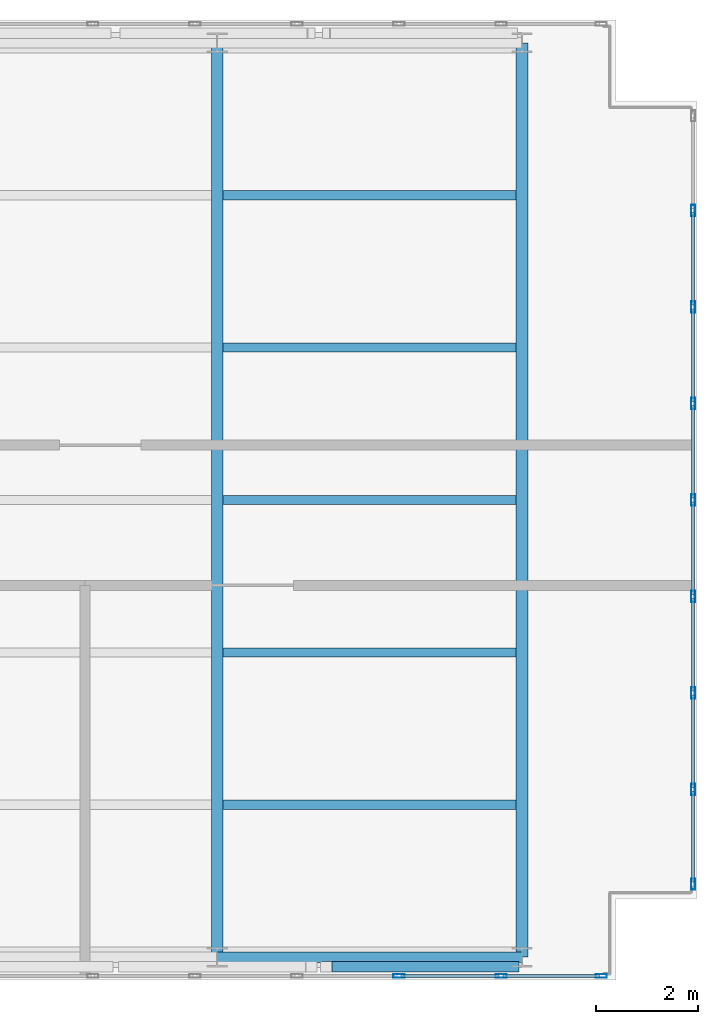
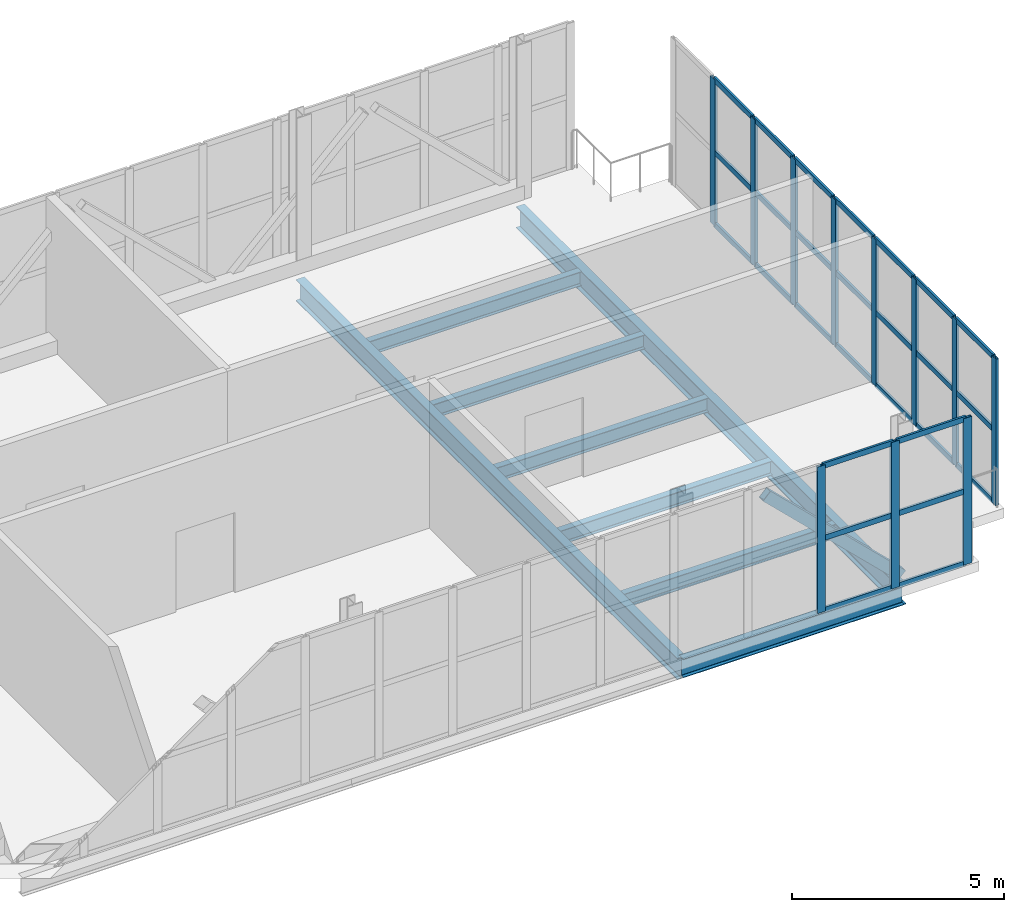
# One storey, part 14 of 21: 39 members, 8 beams, 2 elements without a shape of their own.
"""IFC4 building model written with IfcOpenShell, lengths in metres."""

from ifc_helpers import new_model, si_unit, direction, frame, origin, origin_2d, place, context, subcontext, project, spatial, hollow_rectangle, i_section, extrude, material, layer, layer_set, material_profile, profile_set, type_object, element, aggregate, save


model = new_model("IFC4")

# Units and contexts
model_context = context("Model", 3, precision=1e-05, world=origin(), true_north=direction((0.0, 1.0)))
body_context = subcontext(model_context, "Body", "Model", "MODEL_VIEW")
ifc_project = project(units=[si_unit("LENGTHUNIT", "METRE"), si_unit("AREAUNIT", "SQUARE_METRE"), si_unit("VOLUMEUNIT", "CUBIC_METRE"), si_unit("PLANEANGLEUNIT", "RADIAN"), si_unit("MASSUNIT", "GRAM", prefix="KILO")], contexts=[model_context])

# Site, building, storey
site_placement = place(None, origin())
site = spatial("IfcSite", under=ifc_project, at=site_placement, CompositionType="ELEMENT")
building_placement = place(site_placement, origin())
building = spatial("IfcBuilding", under=site, at=building_placement, Name="Mawjdan Bourse Tower", CompositionType="ELEMENT")
storey_placement = place(building_placement, frame((0.0, 0.0, 313.199951171875)))
storey = spatial("IfcBuildingStorey", under=building, at=storey_placement, Name="L77", CompositionType="ELEMENT", Elevation=313.199951171875)

# Member
ifc_material_1 = material(Name="Structural Steel S460", Category="steel")
ifc_material_profile_1 = material_profile(ifc_material_1, hollow_rectangle(XDim=0.199951171875, YDim=0.300048828125, WallThickness=0.012451171875, at=origin_2d()), Name="HSS300X200X12.5")
ifc_profile_set_1 = profile_set([ifc_material_profile_1], Name="Structural Steel S460")
member_type_1 = type_object("IfcMemberType", Name="BRC-HSS300X200X12.5", PredefinedType="BRACE", material=ifc_profile_set_1)
member_1_placement = place(storey_placement, frame((44.159912109375, 2.81005859375, 3.77001953125), z_axis=(0.717762646976, 0.0, -0.696287859011), x_axis=(0.0, 1.0, 0.0)))
element("IfcMember", 1, at=member_1_placement, inside=storey, type_object=member_type_1, Name="L77 Lantern Crown Braced Frame South Diagonal 6", PredefinedType="BRACE", context=body_context, shape_type="SweptSolid", body=[
    extrude(hollow_rectangle(XDim=0.199951171875, YDim=0.300048828125, WallThickness=0.012451171875, at=origin_2d()), origin(), (0.0, 0.0, 1.0), 5.127197265625),
])

# Beams
ifc_material_2 = material(Name="Structural Steel S355", Category="steel")
ifc_material_profile_2 = material_profile(ifc_material_2, i_section(OverallWidth=0.22998046875, OverallDepth=0.616943359375, WebThickness=0.01318359375, FlangeThickness=0.022216796875, FilletRadius=0.017822265625, at=origin_2d()), Name="W24X94")
ifc_profile_set_2 = profile_set([ifc_material_profile_2], Name="Structural Steel S355")
beam_type_1 = type_object("IfcBeamType", Name="GRD-W24X94", PredefinedType="BEAM", material=ifc_profile_set_2)
for number, where, z_axis, x_axis, name in (
    (2, (42.0, 3.0, -0.58837890625), (0.0, 1.0, 0.0), (-1.0, 0.0, 0.0), "L77 East Wing Clear-Span Girder 003"),
    (3, (48.0, 3.0, -0.58837890625), (0.0, 1.0, 0.0), (-1.0, 0.0, 0.0), "L77 East Wing Clear-Span Girder 004"),
):
    element("IfcBeam", number, at=place(storey_placement, frame(where, z_axis=z_axis, x_axis=x_axis)), inside=storey, type_object=beam_type_1, Name=name, PredefinedType="BEAM", context=body_context, shape_type="SweptSolid", body=[
        extrude(i_section(OverallWidth=0.22998046875, OverallDepth=0.616943359375, WebThickness=0.01318359375, FlangeThickness=0.022216796875, FilletRadius=0.017822265625, at=origin_2d()), origin(), (0.0, 0.0, 1.0), 18.0),
    ])
ifc_material_profile_3 = material_profile(ifc_material_2, i_section(OverallWidth=0.177978515625, OverallDepth=0.406982421875, WebThickness=0.0078125, FlangeThickness=0.0126953125, FilletRadius=0.01025390625, at=origin_2d()), Name="W16X40")
ifc_profile_set_3 = profile_set([ifc_material_profile_3], Name="Structural Steel S355")
beam_type_2 = type_object("IfcBeamType", Name="JST-W16X40", PredefinedType="JOIST", material=ifc_profile_set_3)
for number, where, z_axis, x_axis, name in (
    (4, (42.113037109375, 6.0, -0.4833984375), (1.0, 0.0, 0.0), (0.0, 1.0, 0.0), "L77 East Wing Composite Joist 013"),
    (5, (42.113037109375, 9.0, -0.4833984375), (1.0, 0.0, 0.0), (0.0, 1.0, 0.0), "L77 East Wing Composite Joist 016"),
    (6, (42.113037109375, 12.0, -0.4833984375), (1.0, 0.0, 0.0), (0.0, 1.0, 0.0), "L77 East Wing Composite Joist 019"),
    (7, (42.113037109375, 15.0, -0.4833984375), (1.0, 0.0, 0.0), (0.0, 1.0, 0.0), "L77 East Wing Composite Joist 022"),
    (8, (42.113037109375, 18.0, -0.4833984375), (1.0, 0.0, 0.0), (0.0, 1.0, 0.0), "L77 East Wing Composite Joist 025"),
):
    element("IfcBeam", number, at=place(storey_placement, frame(where, z_axis=z_axis, x_axis=x_axis)), inside=storey, type_object=beam_type_2, Name=name, PredefinedType="JOIST", context=body_context, shape_type="SweptSolid", body=[
        extrude(i_section(OverallWidth=0.177978515625, OverallDepth=0.406982421875, WebThickness=0.0078125, FlangeThickness=0.0126953125, FilletRadius=0.01025390625, at=origin_2d()), origin(), (0.0, 0.0, 1.0), 5.77392578125),
    ])

# Curtain wall, members
ifc_material_3 = material(Name="Thermally Broken Aluminium and Solar Glass", Category="aluminium")
ifc_layer = layer(ifc_material_3, 0.219970703125)
ifc_layer_set = layer_set([ifc_layer], Name="Thermally Broken Aluminium and Solar Glass")
curtain_wall_type = type_object("IfcCurtainWallType", Name="CW-CRN", PredefinedType="USERDEFINED", material=ifc_layer_set)
curtain_wall_1_placement = place(storey_placement, origin())
curtain_wall_1 = element("IfcCurtainWall", 9, at=curtain_wall_1_placement, inside=storey, type_object=curtain_wall_type, Name="L77 Lantern Crown South Curtain Wall", ObjectType="LANTERN GLAZED CROWN", PredefinedType="USERDEFINED")
ifc_material_4 = material(Name="Thermally Broken Anodised Aluminium", Category="aluminium")
ifc_material_profile_4 = material_profile(ifc_material_4, hollow_rectangle(XDim=0.074951171875, YDim=0.219970703125, WallThickness=0.0048828125, at=origin_2d()), Name="ALU-MUL-220X75")
ifc_profile_set_4 = profile_set([ifc_material_profile_4], Name="Thermally Broken Anodised Aluminium")
member_type_2 = type_object("IfcMemberType", Name="MUL-ALU-MUL-220X75", PredefinedType="MULLION", material=ifc_profile_set_4)
member_2_placement = place(storey_placement, frame((45.5810546875, 2.6298828125, 0.0), z_axis=(0.0, 0.0, 1.0), x_axis=(0.0, 1.0, 0.0)))
member_2 = element("IfcMember", 10, at=member_2_placement, type_object=member_type_2, Name="CW-CRN-L77-CRN-S mullion 20", PredefinedType="MULLION", context=body_context, shape_type="SweptSolid", body=[
    extrude(hollow_rectangle(XDim=0.074951171875, YDim=0.219970703125, WallThickness=0.0048828125, at=origin_2d()), origin(), (0.0, 0.0, 1.0), 4.219970703125),
])
member_3_placement = place(storey_placement, frame((47.590576171875, 2.6298828125, 0.0), z_axis=(0.0, 0.0, 1.0), x_axis=(0.0, 1.0, 0.0)))
member_3 = element("IfcMember", 11, at=member_3_placement, type_object=member_type_2, Name="CW-CRN-L77-CRN-S mullion 21", PredefinedType="MULLION", context=body_context, shape_type="SweptSolid", body=[
    extrude(hollow_rectangle(XDim=0.074951171875, YDim=0.219970703125, WallThickness=0.0048828125, at=origin_2d()), origin(), (0.0, 0.0, 1.0), 4.219970703125),
])
member_4_placement = place(storey_placement, frame((49.5625, 2.6298828125, 0.0), z_axis=(0.0, 0.0, 1.0), x_axis=(0.0, 1.0, 0.0)))
member_4 = element("IfcMember", 12, at=member_4_placement, type_object=member_type_2, Name="CW-CRN-L77-CRN-S mullion 22", PredefinedType="MULLION", context=body_context, shape_type="SweptSolid", body=[
    extrude(hollow_rectangle(XDim=0.074951171875, YDim=0.219970703125, WallThickness=0.0048828125, at=origin_2d()), origin(), (0.0, 0.0, 1.0), 4.219970703125),
])

curtain_wall_2_placement = place(storey_placement, origin())
curtain_wall_2 = element("IfcCurtainWall", 13, at=curtain_wall_2_placement, inside=storey, type_object=curtain_wall_type, Name="L77 Lantern Crown East Curtain Wall", ObjectType="LANTERN GLAZED CROWN", PredefinedType="USERDEFINED")
member_5_placement = place(storey_placement, frame((51.3701171875, 4.4375, 0.0), z_axis=(0.0, 0.0, 1.0), x_axis=(-1.0, 0.0, 0.0)))
member_5 = element("IfcMember", 14, at=member_5_placement, type_object=member_type_2, Name="CW-CRN-L77-CRN-E mullion 1", PredefinedType="MULLION", context=body_context, shape_type="SweptSolid", body=[
    extrude(hollow_rectangle(XDim=0.074951171875, YDim=0.219970703125, WallThickness=0.0048828125, at=origin_2d()), origin(), (0.0, 0.0, 1.0), 4.219970703125),
])
member_6_placement = place(storey_placement, frame((51.3701171875, 6.300048828125, 0.0), z_axis=(0.0, 0.0, 1.0), x_axis=(-1.0, 0.0, 0.0)))
member_6 = element("IfcMember", 15, at=member_6_placement, type_object=member_type_2, Name="CW-CRN-L77-CRN-E mullion 2", PredefinedType="MULLION", context=body_context, shape_type="SweptSolid", body=[
    extrude(hollow_rectangle(XDim=0.074951171875, YDim=0.219970703125, WallThickness=0.0048828125, at=origin_2d()), origin(), (0.0, 0.0, 1.0), 4.219970703125),
])
member_7_placement = place(storey_placement, frame((51.3701171875, 8.199951171875, 0.0), z_axis=(0.0, 0.0, 1.0), x_axis=(-1.0, 0.0, 0.0)))
member_7 = element("IfcMember", 16, at=member_7_placement, type_object=member_type_2, Name="CW-CRN-L77-CRN-E mullion 3", PredefinedType="MULLION", context=body_context, shape_type="SweptSolid", body=[
    extrude(hollow_rectangle(XDim=0.074951171875, YDim=0.219970703125, WallThickness=0.0048828125, at=origin_2d()), origin(), (0.0, 0.0, 1.0), 4.219970703125),
])
member_8_placement = place(storey_placement, frame((51.3701171875, 10.10009765625, 0.0), z_axis=(0.0, 0.0, 1.0), x_axis=(-1.0, 0.0, 0.0)))
member_8 = element("IfcMember", 17, at=member_8_placement, type_object=member_type_2, Name="CW-CRN-L77-CRN-E mullion 4", PredefinedType="MULLION", context=body_context, shape_type="SweptSolid", body=[
    extrude(hollow_rectangle(XDim=0.074951171875, YDim=0.219970703125, WallThickness=0.0048828125, at=origin_2d()), origin(), (0.0, 0.0, 1.0), 4.219970703125),
])
member_9_placement = place(storey_placement, frame((51.3701171875, 12.0, 0.0), z_axis=(0.0, 0.0, 1.0), x_axis=(-1.0, 0.0, 0.0)))
member_9 = element("IfcMember", 18, at=member_9_placement, type_object=member_type_2, Name="CW-CRN-L77-CRN-E mullion 5", PredefinedType="MULLION", context=body_context, shape_type="SweptSolid", body=[
    extrude(hollow_rectangle(XDim=0.074951171875, YDim=0.219970703125, WallThickness=0.0048828125, at=origin_2d()), origin(), (0.0, 0.0, 1.0), 4.219970703125),
])
member_10_placement = place(storey_placement, frame((51.3701171875, 13.89990234375, 0.0), z_axis=(0.0, 0.0, 1.0), x_axis=(-1.0, 0.0, 0.0)))
member_10 = element("IfcMember", 19, at=member_10_placement, type_object=member_type_2, Name="CW-CRN-L77-CRN-E mullion 6", PredefinedType="MULLION", context=body_context, shape_type="SweptSolid", body=[
    extrude(hollow_rectangle(XDim=0.074951171875, YDim=0.219970703125, WallThickness=0.0048828125, at=origin_2d()), origin(), (0.0, 0.0, 1.0), 4.219970703125),
])
member_11_placement = place(storey_placement, frame((51.3701171875, 15.800048828125, 0.0), z_axis=(0.0, 0.0, 1.0), x_axis=(-1.0, 0.0, 0.0)))
member_11 = element("IfcMember", 20, at=member_11_placement, type_object=member_type_2, Name="CW-CRN-L77-CRN-E mullion 7", PredefinedType="MULLION", context=body_context, shape_type="SweptSolid", body=[
    extrude(hollow_rectangle(XDim=0.074951171875, YDim=0.219970703125, WallThickness=0.0048828125, at=origin_2d()), origin(), (0.0, 0.0, 1.0), 4.219970703125),
])
member_12_placement = place(storey_placement, frame((51.3701171875, 17.699951171875, 0.0), z_axis=(0.0, 0.0, 1.0), x_axis=(-1.0, 0.0, 0.0)))
member_12 = element("IfcMember", 21, at=member_12_placement, type_object=member_type_2, Name="CW-CRN-L77-CRN-E mullion 8", PredefinedType="MULLION", context=body_context, shape_type="SweptSolid", body=[
    extrude(hollow_rectangle(XDim=0.074951171875, YDim=0.219970703125, WallThickness=0.0048828125, at=origin_2d()), origin(), (0.0, 0.0, 1.0), 4.219970703125),
])

# Beam
ifc_material_profile_5 = material_profile(ifc_material_2, i_section(OverallWidth=0.2099609375, OverallDepth=0.537109375, WebThickness=0.010986328125, FlangeThickness=0.017333984375, FilletRadius=0.013916015625, at=origin_2d()), Name="W21X68")
ifc_profile_set_5 = profile_set([ifc_material_profile_5], Name="Structural Steel S355")
beam_type_3 = type_object("IfcBeamType", Name="SPN-W21X68", PredefinedType="SPANDREL", material=ifc_profile_set_5)
beam_placement = place(storey_placement, frame((42.0, 3.0, -0.54833984375), z_axis=(1.0, 0.0, 0.0), x_axis=(0.0, 1.0, 0.0)))
element("IfcBeam", 22, at=beam_placement, inside=storey, type_object=beam_type_3, Name="L77 Perimeter Masonry-Shelf Spandrel 007", PredefinedType="SPANDREL", context=body_context, shape_type="SweptSolid", body=[
    extrude(i_section(OverallWidth=0.2099609375, OverallDepth=0.537109375, WebThickness=0.010986328125, FlangeThickness=0.017333984375, FilletRadius=0.013916015625, at=origin_2d()), origin(), (0.0, 0.0, 1.0), 6.0),
])

# Member
ifc_material_profile_6 = material_profile(ifc_material_4, hollow_rectangle(XDim=0.06005859375, YDim=0.155029296875, WallThickness=0.00390625, at=origin_2d()), Name="ALU-TRN-155X60")
ifc_profile_set_6 = profile_set([ifc_material_profile_6], Name="Thermally Broken Anodised Aluminium")
member_type_3 = type_object("IfcMemberType", Name="TRN-ALU-TRN-155X60", PredefinedType="USERDEFINED", material=ifc_profile_set_6)
member_13_placement = place(storey_placement, frame((45.618408203125, 2.6298828125, 0.030029296875), z_axis=(1.0, 0.0, 0.0), x_axis=(0.0, 1.0, 0.0)))
member_13 = element("IfcMember", 23, at=member_13_placement, type_object=member_type_3, Name="CW-CRN-L77-CRN-S transom 20.1", ObjectType="TRANSOM", PredefinedType="USERDEFINED", context=body_context, shape_type="SweptSolid", body=[
    extrude(hollow_rectangle(XDim=0.06005859375, YDim=0.155029296875, WallThickness=0.00390625, at=origin_2d()), origin(), (0.0, 0.0, 1.0), 1.9345703125),
])

member_14_placement = place(storey_placement, frame((45.618408203125, 2.6298828125, 2.110107421875), z_axis=(1.0, 0.0, 0.0), x_axis=(0.0, 1.0, 0.0)))
member_14 = element("IfcMember", 24, at=member_14_placement, type_object=member_type_3, Name="CW-CRN-L77-CRN-S transom 20.2", ObjectType="TRANSOM", PredefinedType="USERDEFINED", context=body_context, shape_type="SweptSolid", body=[
    extrude(hollow_rectangle(XDim=0.06005859375, YDim=0.155029296875, WallThickness=0.00390625, at=origin_2d()), origin(), (0.0, 0.0, 1.0), 1.9345703125),
])

member_15_placement = place(storey_placement, frame((45.618408203125, 2.6298828125, 4.18994140625), z_axis=(1.0, 0.0, 0.0), x_axis=(0.0, 1.0, 0.0)))
member_15 = element("IfcMember", 25, at=member_15_placement, type_object=member_type_3, Name="CW-CRN-L77-CRN-S transom 20.3", ObjectType="TRANSOM", PredefinedType="USERDEFINED", context=body_context, shape_type="SweptSolid", body=[
    extrude(hollow_rectangle(XDim=0.06005859375, YDim=0.155029296875, WallThickness=0.00390625, at=origin_2d()), origin(), (0.0, 0.0, 1.0), 1.9345703125),
])

member_16_placement = place(storey_placement, frame((47.6279296875, 2.6298828125, 0.030029296875), z_axis=(1.0, 0.0, 0.0), x_axis=(0.0, 1.0, 0.0)))
member_16 = element("IfcMember", 26, at=member_16_placement, type_object=member_type_3, Name="CW-CRN-L77-CRN-S transom 21.1", ObjectType="TRANSOM", PredefinedType="USERDEFINED", context=body_context, shape_type="SweptSolid", body=[
    extrude(hollow_rectangle(XDim=0.06005859375, YDim=0.155029296875, WallThickness=0.00390625, at=origin_2d()), origin(), (0.0, 0.0, 1.0), 1.89697265625),
])

member_17_placement = place(storey_placement, frame((47.6279296875, 2.6298828125, 2.110107421875), z_axis=(1.0, 0.0, 0.0), x_axis=(0.0, 1.0, 0.0)))
member_17 = element("IfcMember", 27, at=member_17_placement, type_object=member_type_3, Name="CW-CRN-L77-CRN-S transom 21.2", ObjectType="TRANSOM", PredefinedType="USERDEFINED", context=body_context, shape_type="SweptSolid", body=[
    extrude(hollow_rectangle(XDim=0.06005859375, YDim=0.155029296875, WallThickness=0.00390625, at=origin_2d()), origin(), (0.0, 0.0, 1.0), 1.89697265625),
])

member_18_placement = place(storey_placement, frame((47.6279296875, 2.6298828125, 4.18994140625), z_axis=(1.0, 0.0, 0.0), x_axis=(0.0, 1.0, 0.0)))
member_18 = element("IfcMember", 28, at=member_18_placement, type_object=member_type_3, Name="CW-CRN-L77-CRN-S transom 21.3", ObjectType="TRANSOM", PredefinedType="USERDEFINED", context=body_context, shape_type="SweptSolid", body=[
    extrude(hollow_rectangle(XDim=0.06005859375, YDim=0.155029296875, WallThickness=0.00390625, at=origin_2d()), origin(), (0.0, 0.0, 1.0), 1.89697265625),
])

aggregate(curtain_wall_1, [member_2, member_3, member_4, member_13, member_14, member_15, member_16, member_17, member_18])

member_19_placement = place(storey_placement, frame((51.3701171875, 4.47509765625, 0.030029296875), z_axis=(0.0, 1.0, 0.0), x_axis=(-1.0, 0.0, 0.0)))
member_19 = element("IfcMember", 29, at=member_19_placement, type_object=member_type_3, Name="CW-CRN-L77-CRN-E transom 1.1", ObjectType="TRANSOM", PredefinedType="USERDEFINED", context=body_context, shape_type="SweptSolid", body=[
    extrude(hollow_rectangle(XDim=0.06005859375, YDim=0.155029296875, WallThickness=0.00390625, at=origin_2d()), origin(), (0.0, 0.0, 1.0), 1.787353515625),
])

member_20_placement = place(storey_placement, frame((51.3701171875, 4.47509765625, 2.110107421875), z_axis=(0.0, 1.0, 0.0), x_axis=(-1.0, 0.0, 0.0)))
member_20 = element("IfcMember", 30, at=member_20_placement, type_object=member_type_3, Name="CW-CRN-L77-CRN-E transom 1.2", ObjectType="TRANSOM", PredefinedType="USERDEFINED", context=body_context, shape_type="SweptSolid", body=[
    extrude(hollow_rectangle(XDim=0.06005859375, YDim=0.155029296875, WallThickness=0.00390625, at=origin_2d()), origin(), (0.0, 0.0, 1.0), 1.787353515625),
])

member_21_placement = place(storey_placement, frame((51.3701171875, 4.47509765625, 4.18994140625), z_axis=(0.0, 1.0, 0.0), x_axis=(-1.0, 0.0, 0.0)))
member_21 = element("IfcMember", 31, at=member_21_placement, type_object=member_type_3, Name="CW-CRN-L77-CRN-E transom 1.3", ObjectType="TRANSOM", PredefinedType="USERDEFINED", context=body_context, shape_type="SweptSolid", body=[
    extrude(hollow_rectangle(XDim=0.06005859375, YDim=0.155029296875, WallThickness=0.00390625, at=origin_2d()), origin(), (0.0, 0.0, 1.0), 1.787353515625),
])

member_22_placement = place(storey_placement, frame((51.3701171875, 6.33740234375, 0.030029296875), z_axis=(0.0, 1.0, 0.0), x_axis=(-1.0, 0.0, 0.0)))
member_22 = element("IfcMember", 32, at=member_22_placement, type_object=member_type_3, Name="CW-CRN-L77-CRN-E transom 2.1", ObjectType="TRANSOM", PredefinedType="USERDEFINED", context=body_context, shape_type="SweptSolid", body=[
    extrude(hollow_rectangle(XDim=0.06005859375, YDim=0.155029296875, WallThickness=0.00390625, at=origin_2d()), origin(), (0.0, 0.0, 1.0), 1.8251953125),
])

member_23_placement = place(storey_placement, frame((51.3701171875, 6.33740234375, 2.110107421875), z_axis=(0.0, 1.0, 0.0), x_axis=(-1.0, 0.0, 0.0)))
member_23 = element("IfcMember", 33, at=member_23_placement, type_object=member_type_3, Name="CW-CRN-L77-CRN-E transom 2.2", ObjectType="TRANSOM", PredefinedType="USERDEFINED", context=body_context, shape_type="SweptSolid", body=[
    extrude(hollow_rectangle(XDim=0.06005859375, YDim=0.155029296875, WallThickness=0.00390625, at=origin_2d()), origin(), (0.0, 0.0, 1.0), 1.8251953125),
])

member_24_placement = place(storey_placement, frame((51.3701171875, 6.33740234375, 4.18994140625), z_axis=(0.0, 1.0, 0.0), x_axis=(-1.0, 0.0, 0.0)))
member_24 = element("IfcMember", 34, at=member_24_placement, type_object=member_type_3, Name="CW-CRN-L77-CRN-E transom 2.3", ObjectType="TRANSOM", PredefinedType="USERDEFINED", context=body_context, shape_type="SweptSolid", body=[
    extrude(hollow_rectangle(XDim=0.06005859375, YDim=0.155029296875, WallThickness=0.00390625, at=origin_2d()), origin(), (0.0, 0.0, 1.0), 1.8251953125),
])

member_25_placement = place(storey_placement, frame((51.3701171875, 8.237548828125, 0.030029296875), z_axis=(0.0, 1.0, 0.0), x_axis=(-1.0, 0.0, 0.0)))
member_25 = element("IfcMember", 35, at=member_25_placement, type_object=member_type_3, Name="CW-CRN-L77-CRN-E transom 3.1", ObjectType="TRANSOM", PredefinedType="USERDEFINED", context=body_context, shape_type="SweptSolid", body=[
    extrude(hollow_rectangle(XDim=0.06005859375, YDim=0.155029296875, WallThickness=0.00390625, at=origin_2d()), origin(), (0.0, 0.0, 1.0), 1.824951171875),
])

member_26_placement = place(storey_placement, frame((51.3701171875, 8.237548828125, 2.110107421875), z_axis=(0.0, 1.0, 0.0), x_axis=(-1.0, 0.0, 0.0)))
member_26 = element("IfcMember", 36, at=member_26_placement, type_object=member_type_3, Name="CW-CRN-L77-CRN-E transom 3.2", ObjectType="TRANSOM", PredefinedType="USERDEFINED", context=body_context, shape_type="SweptSolid", body=[
    extrude(hollow_rectangle(XDim=0.06005859375, YDim=0.155029296875, WallThickness=0.00390625, at=origin_2d()), origin(), (0.0, 0.0, 1.0), 1.824951171875),
])

member_27_placement = place(storey_placement, frame((51.3701171875, 8.237548828125, 4.18994140625), z_axis=(0.0, 1.0, 0.0), x_axis=(-1.0, 0.0, 0.0)))
member_27 = element("IfcMember", 37, at=member_27_placement, type_object=member_type_3, Name="CW-CRN-L77-CRN-E transom 3.3", ObjectType="TRANSOM", PredefinedType="USERDEFINED", context=body_context, shape_type="SweptSolid", body=[
    extrude(hollow_rectangle(XDim=0.06005859375, YDim=0.155029296875, WallThickness=0.00390625, at=origin_2d()), origin(), (0.0, 0.0, 1.0), 1.824951171875),
])

member_28_placement = place(storey_placement, frame((51.3701171875, 10.137451171875, 0.030029296875), z_axis=(0.0, 1.0, 0.0), x_axis=(-1.0, 0.0, 0.0)))
member_28 = element("IfcMember", 38, at=member_28_placement, type_object=member_type_3, Name="CW-CRN-L77-CRN-E transom 4.1", ObjectType="TRANSOM", PredefinedType="USERDEFINED", context=body_context, shape_type="SweptSolid", body=[
    extrude(hollow_rectangle(XDim=0.06005859375, YDim=0.155029296875, WallThickness=0.00390625, at=origin_2d()), origin(), (0.0, 0.0, 1.0), 1.824951171875),
])

member_29_placement = place(storey_placement, frame((51.3701171875, 10.137451171875, 2.110107421875), z_axis=(0.0, 1.0, 0.0), x_axis=(-1.0, 0.0, 0.0)))
member_29 = element("IfcMember", 39, at=member_29_placement, type_object=member_type_3, Name="CW-CRN-L77-CRN-E transom 4.2", ObjectType="TRANSOM", PredefinedType="USERDEFINED", context=body_context, shape_type="SweptSolid", body=[
    extrude(hollow_rectangle(XDim=0.06005859375, YDim=0.155029296875, WallThickness=0.00390625, at=origin_2d()), origin(), (0.0, 0.0, 1.0), 1.824951171875),
])

member_30_placement = place(storey_placement, frame((51.3701171875, 10.137451171875, 4.18994140625), z_axis=(0.0, 1.0, 0.0), x_axis=(-1.0, 0.0, 0.0)))
member_30 = element("IfcMember", 40, at=member_30_placement, type_object=member_type_3, Name="CW-CRN-L77-CRN-E transom 4.3", ObjectType="TRANSOM", PredefinedType="USERDEFINED", context=body_context, shape_type="SweptSolid", body=[
    extrude(hollow_rectangle(XDim=0.06005859375, YDim=0.155029296875, WallThickness=0.00390625, at=origin_2d()), origin(), (0.0, 0.0, 1.0), 1.824951171875),
])

member_31_placement = place(storey_placement, frame((51.3701171875, 12.03759765625, 0.030029296875), z_axis=(0.0, 1.0, 0.0), x_axis=(-1.0, 0.0, 0.0)))
member_31 = element("IfcMember", 41, at=member_31_placement, type_object=member_type_3, Name="CW-CRN-L77-CRN-E transom 5.1", ObjectType="TRANSOM", PredefinedType="USERDEFINED", context=body_context, shape_type="SweptSolid", body=[
    extrude(hollow_rectangle(XDim=0.06005859375, YDim=0.155029296875, WallThickness=0.00390625, at=origin_2d()), origin(), (0.0, 0.0, 1.0), 1.824951171875),
])

member_32_placement = place(storey_placement, frame((51.3701171875, 12.03759765625, 2.110107421875), z_axis=(0.0, 1.0, 0.0), x_axis=(-1.0, 0.0, 0.0)))
member_32 = element("IfcMember", 42, at=member_32_placement, type_object=member_type_3, Name="CW-CRN-L77-CRN-E transom 5.2", ObjectType="TRANSOM", PredefinedType="USERDEFINED", context=body_context, shape_type="SweptSolid", body=[
    extrude(hollow_rectangle(XDim=0.06005859375, YDim=0.155029296875, WallThickness=0.00390625, at=origin_2d()), origin(), (0.0, 0.0, 1.0), 1.824951171875),
])

member_33_placement = place(storey_placement, frame((51.3701171875, 12.03759765625, 4.18994140625), z_axis=(0.0, 1.0, 0.0), x_axis=(-1.0, 0.0, 0.0)))
member_33 = element("IfcMember", 43, at=member_33_placement, type_object=member_type_3, Name="CW-CRN-L77-CRN-E transom 5.3", ObjectType="TRANSOM", PredefinedType="USERDEFINED", context=body_context, shape_type="SweptSolid", body=[
    extrude(hollow_rectangle(XDim=0.06005859375, YDim=0.155029296875, WallThickness=0.00390625, at=origin_2d()), origin(), (0.0, 0.0, 1.0), 1.824951171875),
])

member_34_placement = place(storey_placement, frame((51.3701171875, 13.9375, 0.030029296875), z_axis=(0.0, 1.0, 0.0), x_axis=(-1.0, 0.0, 0.0)))
member_34 = element("IfcMember", 44, at=member_34_placement, type_object=member_type_3, Name="CW-CRN-L77-CRN-E transom 6.1", ObjectType="TRANSOM", PredefinedType="USERDEFINED", context=body_context, shape_type="SweptSolid", body=[
    extrude(hollow_rectangle(XDim=0.06005859375, YDim=0.155029296875, WallThickness=0.00390625, at=origin_2d()), origin(), (0.0, 0.0, 1.0), 1.824951171875),
])

member_35_placement = place(storey_placement, frame((51.3701171875, 13.9375, 2.110107421875), z_axis=(0.0, 1.0, 0.0), x_axis=(-1.0, 0.0, 0.0)))
member_35 = element("IfcMember", 45, at=member_35_placement, type_object=member_type_3, Name="CW-CRN-L77-CRN-E transom 6.2", ObjectType="TRANSOM", PredefinedType="USERDEFINED", context=body_context, shape_type="SweptSolid", body=[
    extrude(hollow_rectangle(XDim=0.06005859375, YDim=0.155029296875, WallThickness=0.00390625, at=origin_2d()), origin(), (0.0, 0.0, 1.0), 1.824951171875),
])

member_36_placement = place(storey_placement, frame((51.3701171875, 13.9375, 4.18994140625), z_axis=(0.0, 1.0, 0.0), x_axis=(-1.0, 0.0, 0.0)))
member_36 = element("IfcMember", 46, at=member_36_placement, type_object=member_type_3, Name="CW-CRN-L77-CRN-E transom 6.3", ObjectType="TRANSOM", PredefinedType="USERDEFINED", context=body_context, shape_type="SweptSolid", body=[
    extrude(hollow_rectangle(XDim=0.06005859375, YDim=0.155029296875, WallThickness=0.00390625, at=origin_2d()), origin(), (0.0, 0.0, 1.0), 1.824951171875),
])

member_37_placement = place(storey_placement, frame((51.3701171875, 15.83740234375, 0.030029296875), z_axis=(0.0, 1.0, 0.0), x_axis=(-1.0, 0.0, 0.0)))
member_37 = element("IfcMember", 47, at=member_37_placement, type_object=member_type_3, Name="CW-CRN-L77-CRN-E transom 7.1", ObjectType="TRANSOM", PredefinedType="USERDEFINED", context=body_context, shape_type="SweptSolid", body=[
    extrude(hollow_rectangle(XDim=0.06005859375, YDim=0.155029296875, WallThickness=0.00390625, at=origin_2d()), origin(), (0.0, 0.0, 1.0), 1.8251953125),
])

member_38_placement = place(storey_placement, frame((51.3701171875, 15.83740234375, 2.110107421875), z_axis=(0.0, 1.0, 0.0), x_axis=(-1.0, 0.0, 0.0)))
member_38 = element("IfcMember", 48, at=member_38_placement, type_object=member_type_3, Name="CW-CRN-L77-CRN-E transom 7.2", ObjectType="TRANSOM", PredefinedType="USERDEFINED", context=body_context, shape_type="SweptSolid", body=[
    extrude(hollow_rectangle(XDim=0.06005859375, YDim=0.155029296875, WallThickness=0.00390625, at=origin_2d()), origin(), (0.0, 0.0, 1.0), 1.8251953125),
])

member_39_placement = place(storey_placement, frame((51.3701171875, 15.83740234375, 4.18994140625), z_axis=(0.0, 1.0, 0.0), x_axis=(-1.0, 0.0, 0.0)))
member_39 = element("IfcMember", 49, at=member_39_placement, type_object=member_type_3, Name="CW-CRN-L77-CRN-E transom 7.3", ObjectType="TRANSOM", PredefinedType="USERDEFINED", context=body_context, shape_type="SweptSolid", body=[
    extrude(hollow_rectangle(XDim=0.06005859375, YDim=0.155029296875, WallThickness=0.00390625, at=origin_2d()), origin(), (0.0, 0.0, 1.0), 1.8251953125),
])

aggregate(curtain_wall_2, [member_5, member_6, member_7, member_8, member_9, member_10, member_11, member_12, member_19, member_20, member_21, member_22, member_23, member_24, member_25, member_26, member_27, member_28, member_29, member_30, member_31, member_32, member_33, member_34, member_35, member_36, member_37, member_38, member_39])

save(model, "model.ifc")
